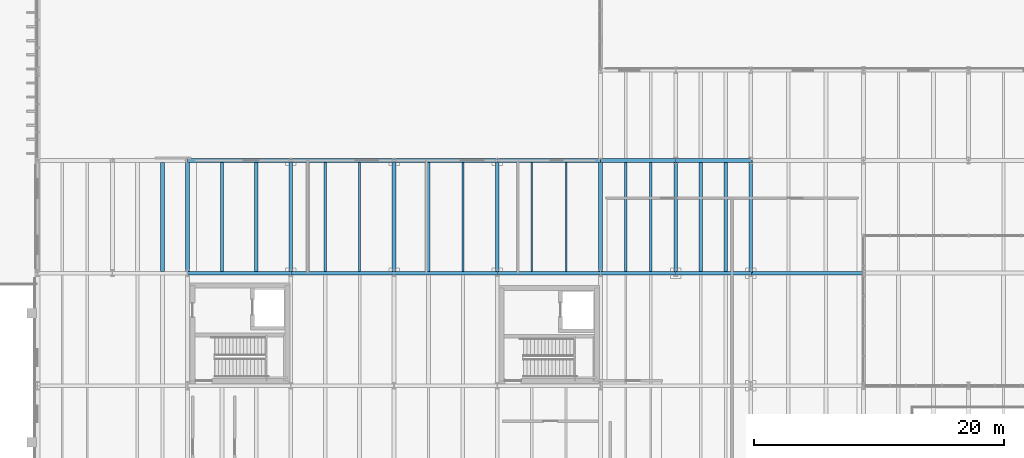
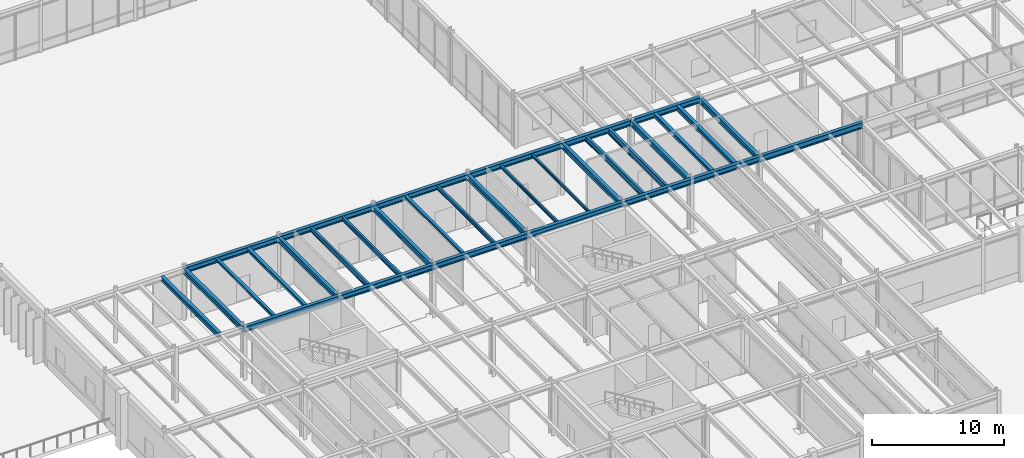
# One storey, part 21 of 64: 33 beams.
"""IFC4 building model written with IfcOpenShell, lengths in metres."""

import ifcopenshell
import ifcopenshell.guid

model = None  # the IFC model being written
_history = None  # IfcOwnerHistory: only IFC2X3 demands one
_inside = {}  # id of a spatial element -> (the spatial element, [elements in it])
_under = {}  # id of a project, library or spatial element -> (it, [spatial elements below it])
_declared = {}  # id of a project -> (the project, [libraries it declares])
_typed = {}  # id of a type object -> (the type object, [elements of that type])
_made_of = {}  # id of a material, layer set ... -> (it, [elements and type objects made of it])


def new_model(schema):
    """Start an empty IFC model of exactly this schema.

    Asked for "IFC4X3", IfcOpenShell would pick the latest addendum, in which some entities
    have other attributes; the version numbers below select the first issue.
    IFC2X3 requires an IfcOwnerHistory on every rooted entity: one is made here for all.
    """
    global model, _history
    if schema == "IFC4X3":
        model = ifcopenshell.file(schema_version=(4, 3, 0, 0))
    else:
        model = ifcopenshell.file(schema=schema)
    _inside.clear()
    _under.clear()
    _declared.clear()
    _typed.clear()
    _made_of.clear()
    _history = None
    if model.schema == "IFC2X3":
        org = make("IfcOrganization", Name="unknown")
        user = make(
            "IfcPersonAndOrganization",
            ThePerson=make("IfcPerson", FamilyName="unknown"),
            TheOrganization=org,
        )
        app = make(
            "IfcApplication",
            ApplicationDeveloper=org,
            Version="unknown",
            ApplicationFullName="unknown",
            ApplicationIdentifier="unknown",
        )
        _history = make(
            "IfcOwnerHistory",
            OwningUser=user,
            OwningApplication=app,
            ChangeAction="ADDED",
            CreationDate=0,
        )
    return model


def make(cls, **values):
    """One entity of the class cls with the attributes given. An attribute that is None is left unset."""
    return model.create_entity(
        cls, **{name: value for name, value in values.items() if value is not None}
    )


def rooted(cls, **values):
    """An entity with a GlobalId (a new one), such as an element, a storey or a relation."""
    return make(cls, GlobalId=ifcopenshell.guid.new(), OwnerHistory=_history, **values)


def si_unit(unit_type, name, prefix=None):
    """IfcSIUnit, for example si_unit("LENGTHUNIT", "METRE", prefix="MILLI")."""
    return make("IfcSIUnit", UnitType=unit_type, Prefix=prefix, Name=name)


def assignment(units):
    """IfcUnitAssignment: the units of a project."""
    return None if units is None else make("IfcUnitAssignment", Units=units)


def point(xyz):
    """IfcCartesianPoint."""
    return None if xyz is None else make("IfcCartesianPoint", Coordinates=xyz)


def direction(xyz):
    """IfcDirection."""
    return None if xyz is None else make("IfcDirection", DirectionRatios=xyz)


def frame(location, z_axis=None, x_axis=None):
    """IfcAxis2Placement3D, a coordinate frame: its origin and axes. An axis left out is left unset."""
    return make(
        "IfcAxis2Placement3D",
        Location=point(location),
        Axis=direction(z_axis),
        RefDirection=direction(x_axis),
    )


def frame_2d(location, x_axis=None):
    """IfcAxis2Placement2D, a coordinate frame in the plane: its origin and x axis."""
    return make(
        "IfcAxis2Placement2D", Location=point(location), RefDirection=direction(x_axis)
    )


def origin():
    """The frame at (0, 0, 0) with its axes left unset."""
    return frame((0.0, 0.0, 0.0))


def origin_2d():
    """The frame at (0, 0) in the plane with its x axis left unset."""
    return frame_2d((0.0, 0.0))


def place(relative_to, where):
    """IfcLocalPlacement: puts the frame where relative to a parent placement (None: the world)."""
    return make(
        "IfcLocalPlacement", PlacementRelTo=relative_to, RelativePlacement=where
    )


def context(
    kind, dimensions, precision=None, world=None, true_north=None, identifier=None
):
    """IfcGeometricRepresentationContext, for example the 3D "Model" context."""
    return make(
        "IfcGeometricRepresentationContext",
        ContextIdentifier=identifier,
        ContextType=kind,
        CoordinateSpaceDimension=dimensions,
        Precision=precision,
        WorldCoordinateSystem=world,
        TrueNorth=true_north,
    )


def subcontext(parent, identifier, kind, view, scale=None):
    """IfcGeometricRepresentationSubContext, for example "Body" below "Model"."""
    return make(
        "IfcGeometricRepresentationSubContext",
        ContextIdentifier=identifier,
        ContextType=kind,
        ParentContext=parent,
        TargetScale=scale,
        TargetView=view,
    )


def project(units=None, contexts=None):
    """IfcProject with its units and contexts."""
    return rooted(
        "IfcProject",
        Name="project",
        RepresentationContexts=contexts,
        UnitsInContext=assignment(units),
    )


def spatial(cls, under=None, at=None, **own):
    """A site, building, storey or space (cls), placed at a placement, below another one or the project."""
    s = rooted(cls, ObjectPlacement=at, **own)
    if under is not None:
        _under.setdefault(under.id(), (under, []))[1].append(s)
    return s


def profile(cls, at=None, kind="AREA", **sizes):
    """A parametric profile (cls). Its sizes go by their IFC names, for example OverallWidth=200.0."""
    return make(cls, ProfileType=kind, Position=at, **sizes)


def i_section(**sizes):
    """IfcIShapeProfileDef."""
    return profile("IfcIShapeProfileDef", **sizes)


def extrude(swept, where, along, depth):
    """IfcExtrudedAreaSolid: the profile swept, set in the frame where, extruded along a direction by depth."""
    return make(
        "IfcExtrudedAreaSolid",
        SweptArea=swept,
        Position=where,
        ExtrudedDirection=direction(along),
        Depth=depth,
    )


def shape(context_of_items, identifier, shape_type, items):
    """IfcShapeRepresentation: the items that make up one representation, for example the "Body"."""
    return make(
        "IfcShapeRepresentation",
        ContextOfItems=context_of_items,
        RepresentationIdentifier=identifier,
        RepresentationType=shape_type,
        Items=items,
    )


def material(Name=None, Category=None):
    """IfcMaterial."""
    return make("IfcMaterial", Name=Name, Category=Category)


def material_profile(
    of_material, cross_section, Name=None, Category=None, Priority=None
):
    """IfcMaterialProfile: a cross section and its material."""
    return make(
        "IfcMaterialProfile",
        Name=Name,
        Material=of_material,
        Profile=cross_section,
        Priority=Priority,
        Category=Category,
    )


def profile_set(profiles, Name=None, composite=None):
    """IfcMaterialProfileSet."""
    return make(
        "IfcMaterialProfileSet",
        Name=Name,
        MaterialProfiles=profiles,
        CompositeProfile=composite,
    )


def made_of(thing, what):
    """Note that an element or type object is made of a material, layer set ...; save() writes the relation."""
    if what is not None:
        _made_of.setdefault(what.id(), (what, []))[1].append(thing)
    return thing


def type_object(cls, material=None, **own):
    """A type object (cls), such as IfcWallType, which elements share."""
    return made_of(rooted(cls, **own), material)


def element(
    cls,
    number,
    at=None,
    inside=None,
    cuts=None,
    type_object=None,
    material=None,
    context=None,
    identifier="Body",
    shape_type=None,
    held_by="IfcProductDefinitionShape",
    body=None,
    shapes=None,
    **own,
):
    """One element of the class cls, such as IfcWall. Its Tag is "e" and its number.

    at: its placement. inside: the storey or other place that contains it. cuts: it is an
    opening in that element (IfcRelVoidsElement). A single representation is given by context,
    identifier, shape_type and body (its items); several are given by shapes. held_by: the class
    of the entity that holds the representations. save() writes the other relations.
    """
    e = rooted(cls, Tag="e%d" % number, ObjectPlacement=at, **own)
    if body is not None:
        shapes = [shape(context, identifier, shape_type, body)]
    if shapes is not None:
        e.Representation = make(held_by, Representations=shapes)
    if inside is not None:
        _inside.setdefault(inside.id(), (inside, []))[1].append(e)
    if cuts is not None:
        rooted(
            "IfcRelVoidsElement", RelatingBuildingElement=cuts, RelatedOpeningElement=e
        )
    if type_object is not None:
        _typed.setdefault(type_object.id(), (type_object, []))[1].append(e)
    return made_of(e, material)


def aggregate(whole, parts):
    """IfcRelAggregates: a whole, such as a stair, and the parts it consists of."""
    return rooted("IfcRelAggregates", RelatingObject=whole, RelatedObjects=parts)


def save(model, path):
    """Write the relations noted so far, then the file.

    IfcRelAggregates (storeys below a building ...), IfcRelContainedInSpatialStructure (elements
    in a storey), IfcRelDefinesByType, IfcRelAssociatesMaterial and IfcRelDeclares: one each for
    every whole, place, type object, material and project.
    """
    for whole, parts in _under.values():
        aggregate(whole, parts)
    for where, things in _inside.values():
        rooted(
            "IfcRelContainedInSpatialStructure",
            RelatedElements=things,
            RelatingStructure=where,
        )
    for kind, things in _typed.values():
        rooted("IfcRelDefinesByType", RelatedObjects=things, RelatingType=kind)
    for what, things in _made_of.values():
        rooted("IfcRelAssociatesMaterial", RelatedObjects=things, RelatingMaterial=what)
    for by, libraries in _declared.values():
        rooted("IfcRelDeclares", RelatingContext=by, RelatedDefinitions=libraries)
    model.write(path)


model = new_model("IFC4")

# Units and contexts
model_context = context("Model", 3, precision=1e-05, world=origin(), true_north=direction((0.0, 1.0)))
body_context = subcontext(model_context, "Body", "Model", "MODEL_VIEW")
ifc_project = project(units=[si_unit("LENGTHUNIT", "METRE"), si_unit("AREAUNIT", "SQUARE_METRE"), si_unit("VOLUMEUNIT", "CUBIC_METRE"), si_unit("PLANEANGLEUNIT", "RADIAN"), si_unit("MASSUNIT", "GRAM", prefix="KILO")], contexts=[model_context])

# Site, building, storey
site_placement = place(None, origin())
site = spatial("IfcSite", under=ifc_project, at=site_placement, CompositionType="ELEMENT")
building_placement = place(site_placement, origin())
building = spatial("IfcBuilding", under=site, at=building_placement, Name="Montealbar Specialist Clinic", CompositionType="ELEMENT")
storey_placement = place(building_placement, origin())
storey = spatial("IfcBuildingStorey", under=building, at=storey_placement, Name="L00", CompositionType="ELEMENT", Elevation=0.0)

# Beams
ifc_material = material(Name="Steel S355", Category="steel")
ifc_material_profile_1 = material_profile(ifc_material, i_section(OverallWidth=0.300048828125, OverallDepth=0.5, WebThickness=0.014404296875, FlangeThickness=0.028076171875, FilletRadius=0.027099609375, at=origin_2d()), Name="HEB 500", Category="steel")
ifc_profile_set_1 = profile_set([ifc_material_profile_1], Name="Steel S355")
beam_type_1 = type_object("IfcBeamType", Name="BM-GIRD-HEB500", PredefinedType="BEAM", material=ifc_profile_set_1)
for number, where, z_axis, x_axis, name in (
    (1, (66.0, 36.0, 4.56005859375), (1.0, 0.0, 0.0), (0.0, 1.0, 0.0), "Beam GX-L00-660-742-360"),
    (2, (74.25, 36.0, 4.56005859375), (1.0, 0.0, 0.0), (0.0, 1.0, 0.0), "Beam GX-L00-742-825-360"),
    (3, (82.5, 36.0, 4.56005859375), (1.0, 0.0, 0.0), (0.0, 1.0, 0.0), "Beam GX-L00-825-908-360"),
    (4, (90.75, 36.0, 4.56005859375), (1.0, 0.0, 0.0), (0.0, 1.0, 0.0), "Beam GX-L00-908-990-360"),
    (5, (66.0, 45.0, 4.56005859375), (1.0, 0.0, 0.0), (0.0, 1.0, 0.0), "Beam GX-L00-660-742-450"),
    (6, (74.25, 45.0, 4.56005859375), (1.0, 0.0, 0.0), (0.0, 1.0, 0.0), "Beam GX-L00-742-825-450"),
    (7, (82.5, 45.0, 4.56005859375), (1.0, 0.0, 0.0), (0.0, 1.0, 0.0), "Beam GX-L00-825-908-450"),
    (8, (90.75, 45.0, 4.56005859375), (1.0, 0.0, 0.0), (0.0, 1.0, 0.0), "Beam GX-L00-908-990-450"),
):
    element("IfcBeam", number, at=place(storey_placement, frame(where, z_axis=z_axis, x_axis=x_axis)), inside=storey, type_object=beam_type_1, Name=name, PredefinedType="BEAM", context=body_context, shape_type="SweptSolid", body=[
        extrude(i_section(OverallWidth=0.300048828125, OverallDepth=0.5, WebThickness=0.014404296875, FlangeThickness=0.028076171875, FilletRadius=0.027099609375, at=origin_2d()), origin(), (0.0, 0.0, 1.0), 8.25),
    ])
for number, where, z_axis, x_axis, name in (
    (9, (66.0, 36.0, 4.56005859375), (0.0, 1.0, 0.0), (-1.0, 0.0, 0.0), "Beam GY-L00-660-360-450"),
    (10, (74.25, 36.0, 4.56005859375), (0.0, 1.0, 0.0), (-1.0, 0.0, 0.0), "Beam GY-L00-742-360-450"),
    (11, (82.5, 36.0, 4.56005859375), (0.0, 1.0, 0.0), (-1.0, 0.0, 0.0), "Beam GY-L00-825-360-450"),
    (12, (90.75, 36.0, 4.56005859375), (0.0, 1.0, 0.0), (-1.0, 0.0, 0.0), "Beam GY-L00-908-360-450"),
):
    element("IfcBeam", number, at=place(storey_placement, frame(where, z_axis=z_axis, x_axis=x_axis)), inside=storey, type_object=beam_type_1, Name=name, PredefinedType="BEAM", context=body_context, shape_type="SweptSolid", body=[
        extrude(i_section(OverallWidth=0.300048828125, OverallDepth=0.5, WebThickness=0.014404296875, FlangeThickness=0.028076171875, FilletRadius=0.027099609375, at=origin_2d()), origin(), (0.0, 0.0, 1.0), 9.0),
    ])
ifc_material_profile_2 = material_profile(ifc_material, i_section(OverallWidth=0.300048828125, OverallDepth=0.5, WebThickness=0.014404296875, FlangeThickness=0.028076171875, FilletRadius=0.027099609375, at=origin_2d()), Name="HEB 500", Category="steel")
ifc_profile_set_2 = profile_set([ifc_material_profile_2], Name="Steel S355")
beam_type_2 = type_object("IfcBeamType", Name="BM-GIRD-HEB500-EXT", PredefinedType="BEAM", material=ifc_profile_set_2)
for number, where, z_axis, x_axis, name in (
    (13, (99.0, 36.0, 4.56005859375), (1.0, 0.0, 0.0), (0.0, 1.0, 0.0), "Beam GX-L00-990-1050-360"),
    (14, (105.0, 36.0, 4.56005859375), (1.0, 0.0, 0.0), (0.0, 1.0, 0.0), "Beam GX-L00-1050-1110-360"),
    (15, (99.0, 45.0, 4.56005859375), (1.0, 0.0, 0.0), (0.0, 1.0, 0.0), "Beam GX-L00-990-1050-450"),
    (16, (105.0, 45.0, 4.56005859375), (1.0, 0.0, 0.0), (0.0, 1.0, 0.0), "Beam GX-L00-1050-1110-450"),
):
    element("IfcBeam", number, at=place(storey_placement, frame(where, z_axis=z_axis, x_axis=x_axis)), inside=storey, type_object=beam_type_2, Name=name, PredefinedType="BEAM", context=body_context, shape_type="SweptSolid", body=[
        extrude(i_section(OverallWidth=0.300048828125, OverallDepth=0.5, WebThickness=0.014404296875, FlangeThickness=0.028076171875, FilletRadius=0.027099609375, at=origin_2d()), origin(), (0.0, 0.0, 1.0), 6.0),
    ])
for number, where, z_axis, x_axis, name in (
    (17, (99.0, 36.0, 4.56005859375), (0.0, 1.0, 0.0), (-1.0, 0.0, 0.0), "Beam GY-L00-990-360-450"),
    (18, (105.0, 36.0, 4.56005859375), (0.0, 1.0, 0.0), (-1.0, 0.0, 0.0), "Beam GY-L00-1050-360-450"),
    (19, (111.0, 36.0, 4.56005859375), (0.0, 1.0, 0.0), (-1.0, 0.0, 0.0), "Beam GY-L00-1110-360-450"),
):
    element("IfcBeam", number, at=place(storey_placement, frame(where, z_axis=z_axis, x_axis=x_axis)), inside=storey, type_object=beam_type_2, Name=name, PredefinedType="BEAM", context=body_context, shape_type="SweptSolid", body=[
        extrude(i_section(OverallWidth=0.300048828125, OverallDepth=0.5, WebThickness=0.014404296875, FlangeThickness=0.028076171875, FilletRadius=0.027099609375, at=origin_2d()), origin(), (0.0, 0.0, 1.0), 9.0),
    ])
ifc_material_profile_3 = material_profile(ifc_material, i_section(OverallWidth=0.300048828125, OverallDepth=0.550048828125, WebThickness=0.014892578125, FlangeThickness=0.029052734375, FilletRadius=0.027099609375, at=origin_2d()), Name="HEB 550", Category="steel")
ifc_profile_set_3 = profile_set([ifc_material_profile_3], Name="Steel S355")
beam_type_3 = type_object("IfcBeamType", Name="BM-GIRD-HEB550", PredefinedType="BEAM", material=ifc_profile_set_3)
beam_1_placement = place(storey_placement, frame((111.0, 36.0, 4.534912109375), z_axis=(1.0, 0.0, 0.0), x_axis=(0.0, 1.0, 0.0)))
element("IfcBeam", 20, at=beam_1_placement, inside=storey, type_object=beam_type_3, Name="Beam GX-L00-1110-1200-360", PredefinedType="BEAM", context=body_context, shape_type="SweptSolid", body=[
    extrude(i_section(OverallWidth=0.300048828125, OverallDepth=0.550048828125, WebThickness=0.014892578125, FlangeThickness=0.029052734375, FilletRadius=0.027099609375, at=origin_2d()), origin(), (0.0, 0.0, 1.0), 9.0),
])
ifc_material_profile_4 = material_profile(ifc_material, i_section(OverallWidth=0.300048828125, OverallDepth=0.35009765625, WebThickness=0.010009765625, FlangeThickness=0.017578125, FilletRadius=0.027099609375, at=origin_2d()), Name="HEA 360", Category="steel")
ifc_profile_set_4 = profile_set([ifc_material_profile_4], Name="Steel S355")
beam_type_4 = type_object("IfcBeamType", Name="BM-JST-HEA360", PredefinedType="JOIST", material=ifc_profile_set_4)
beam_2_placement = place(storey_placement, frame((107.0, 36.14990234375, 4.635009765625), z_axis=(0.0, 1.0, 0.0), x_axis=(-1.0, 0.0, 0.0)))
element("IfcBeam", 21, at=beam_2_placement, inside=storey, type_object=beam_type_4, Name="Beam JST-L00-1070-362-448", PredefinedType="JOIST", context=body_context, shape_type="SweptSolid", body=[
    extrude(i_section(OverallWidth=0.300048828125, OverallDepth=0.35009765625, WebThickness=0.010009765625, FlangeThickness=0.017578125, FilletRadius=0.027099609375, at=origin_2d()), origin(), (0.0, 0.0, 1.0), 8.7001953125),
])
ifc_material_profile_5 = material_profile(ifc_material, i_section(OverallWidth=0.300048828125, OverallDepth=0.43994140625, WebThickness=0.011474609375, FlangeThickness=0.02099609375, FilletRadius=0.027099609375, at=origin_2d()), Name="HEA 450", Category="steel")
ifc_profile_set_5 = profile_set([ifc_material_profile_5], Name="Steel S355")
beam_type_5 = type_object("IfcBeamType", Name="BM-JST-HEA450", PredefinedType="JOIST", material=ifc_profile_set_5)
for number, where, z_axis, x_axis, name in (
    (22, (64.0, 36.14990234375, 4.590087890625), (0.0, 1.0, 0.0), (-1.0, 0.0, 0.0), "Beam JST-L00-640-362-448"),
    (23, (109.0, 36.14990234375, 4.590087890625), (0.0, 1.0, 0.0), (-1.0, 0.0, 0.0), "Beam JST-L00-1090-362-448"),
):
    element("IfcBeam", number, at=place(storey_placement, frame(where, z_axis=z_axis, x_axis=x_axis)), inside=storey, type_object=beam_type_5, Name=name, PredefinedType="JOIST", context=body_context, shape_type="SweptSolid", body=[
        extrude(i_section(OverallWidth=0.300048828125, OverallDepth=0.43994140625, WebThickness=0.011474609375, FlangeThickness=0.02099609375, FilletRadius=0.027099609375, at=origin_2d()), origin(), (0.0, 0.0, 1.0), 8.7001953125),
    ])
ifc_material_profile_6 = material_profile(ifc_material, i_section(OverallWidth=0.239990234375, OverallDepth=0.239990234375, WebThickness=0.010009765625, FlangeThickness=0.01708984375, FilletRadius=0.02099609375, at=origin_2d()), Name="HEB 240", Category="steel")
ifc_profile_set_6 = profile_set([ifc_material_profile_6], Name="Steel S355")
beam_type_6 = type_object("IfcBeamType", Name="BM-JST-HEB240", PredefinedType="JOIST", material=ifc_profile_set_6)
beam_3_placement = place(storey_placement, frame((68.75, 36.14990234375, 4.68994140625), z_axis=(0.0, 1.0, 0.0), x_axis=(-1.0, 0.0, 0.0)))
element("IfcBeam", 24, at=beam_3_placement, inside=storey, type_object=beam_type_6, Name="Beam JST-L00-688-362-448", PredefinedType="JOIST", context=body_context, shape_type="SweptSolid", body=[
    extrude(i_section(OverallWidth=0.239990234375, OverallDepth=0.239990234375, WebThickness=0.010009765625, FlangeThickness=0.01708984375, FilletRadius=0.02099609375, at=origin_2d()), origin(), (0.0, 0.0, 1.0), 8.7001953125),
])
ifc_material_profile_7 = material_profile(ifc_material, i_section(OverallWidth=0.280029296875, OverallDepth=0.280029296875, WebThickness=0.010498046875, FlangeThickness=0.01806640625, FilletRadius=0.02392578125, at=origin_2d()), Name="HEB 280", Category="steel")
ifc_profile_set_7 = profile_set([ifc_material_profile_7], Name="Steel S355")
beam_type_7 = type_object("IfcBeamType", Name="BM-JST-HEB280", PredefinedType="JOIST", material=ifc_profile_set_7)
beam_4_placement = place(storey_placement, frame((71.5, 36.14990234375, 4.669921875), z_axis=(0.0, 1.0, 0.0), x_axis=(-1.0, 0.0, 0.0)))
element("IfcBeam", 25, at=beam_4_placement, inside=storey, type_object=beam_type_7, Name="Beam JST-L00-715-362-448", PredefinedType="JOIST", context=body_context, shape_type="SweptSolid", body=[
    extrude(i_section(OverallWidth=0.280029296875, OverallDepth=0.280029296875, WebThickness=0.010498046875, FlangeThickness=0.01806640625, FilletRadius=0.02392578125, at=origin_2d()), origin(), (0.0, 0.0, 1.0), 8.7001953125),
])
ifc_material_profile_8 = material_profile(ifc_material, i_section(OverallWidth=0.135009765625, OverallDepth=0.27001953125, WebThickness=0.006591796875, FlangeThickness=0.01025390625, FilletRadius=0.014892578125, at=origin_2d()), Name="IPE 270", Category="steel")
ifc_profile_set_8 = profile_set([ifc_material_profile_8], Name="Steel S355")
beam_type_8 = type_object("IfcBeamType", Name="BM-JST-IPE270", PredefinedType="JOIST", material=ifc_profile_set_8)
beam_5_placement = place(storey_placement, frame((96.25, 36.14990234375, 4.675048828125), z_axis=(0.0, 1.0, 0.0), x_axis=(-1.0, 0.0, 0.0)))
element("IfcBeam", 26, at=beam_5_placement, inside=storey, type_object=beam_type_8, Name="Beam JST-L00-962-362-448", PredefinedType="JOIST", context=body_context, shape_type="SweptSolid", body=[
    extrude(i_section(OverallWidth=0.135009765625, OverallDepth=0.27001953125, WebThickness=0.006591796875, FlangeThickness=0.01025390625, FilletRadius=0.014892578125, at=origin_2d()), origin(), (0.0, 0.0, 1.0), 8.7001953125),
])
ifc_material_profile_9 = material_profile(ifc_material, i_section(OverallWidth=0.14990234375, OverallDepth=0.300048828125, WebThickness=0.007080078125, FlangeThickness=0.0107421875, FilletRadius=0.014892578125, at=origin_2d()), Name="IPE 300", Category="steel")
ifc_profile_set_9 = profile_set([ifc_material_profile_9], Name="Steel S355")
beam_type_9 = type_object("IfcBeamType", Name="BM-JST-IPE300", PredefinedType="JOIST", material=ifc_profile_set_9)
beam_6_placement = place(storey_placement, frame((93.5, 36.14990234375, 4.659912109375), z_axis=(0.0, 1.0, 0.0), x_axis=(-1.0, 0.0, 0.0)))
element("IfcBeam", 27, at=beam_6_placement, inside=storey, type_object=beam_type_9, Name="Beam JST-L00-935-362-448", PredefinedType="JOIST", context=body_context, shape_type="SweptSolid", body=[
    extrude(i_section(OverallWidth=0.14990234375, OverallDepth=0.300048828125, WebThickness=0.007080078125, FlangeThickness=0.0107421875, FilletRadius=0.014892578125, at=origin_2d()), origin(), (0.0, 0.0, 1.0), 8.7001953125),
])
ifc_material_profile_10 = material_profile(ifc_material, i_section(OverallWidth=0.169921875, OverallDepth=0.360107421875, WebThickness=0.008056640625, FlangeThickness=0.0126953125, FilletRadius=0.01806640625, at=origin_2d()), Name="IPE 360", Category="steel")
ifc_profile_set_10 = profile_set([ifc_material_profile_10], Name="Steel S355")
beam_type_10 = type_object("IfcBeamType", Name="BM-JST-IPE360", PredefinedType="JOIST", material=ifc_profile_set_10)
beam_7_placement = place(storey_placement, frame((88.0, 36.14990234375, 4.6298828125), z_axis=(0.0, 1.0, 0.0), x_axis=(-1.0, 0.0, 0.0)))
element("IfcBeam", 28, at=beam_7_placement, inside=storey, type_object=beam_type_10, Name="Beam JST-L00-880-362-448", PredefinedType="JOIST", context=body_context, shape_type="SweptSolid", body=[
    extrude(i_section(OverallWidth=0.169921875, OverallDepth=0.360107421875, WebThickness=0.008056640625, FlangeThickness=0.0126953125, FilletRadius=0.01806640625, at=origin_2d()), origin(), (0.0, 0.0, 1.0), 8.7001953125),
])
ifc_material_profile_11 = material_profile(ifc_material, i_section(OverallWidth=0.199951171875, OverallDepth=0.5, WebThickness=0.01025390625, FlangeThickness=0.01611328125, FilletRadius=0.02099609375, at=origin_2d()), Name="IPE 500", Category="steel")
ifc_profile_set_11 = profile_set([ifc_material_profile_11], Name="Steel S355")
beam_type_11 = type_object("IfcBeamType", Name="BM-JST-IPE500", PredefinedType="JOIST", material=ifc_profile_set_11)
beam_8_placement = place(storey_placement, frame((101.0, 36.14990234375, 4.56005859375), z_axis=(0.0, 1.0, 0.0), x_axis=(-1.0, 0.0, 0.0)))
element("IfcBeam", 29, at=beam_8_placement, inside=storey, type_object=beam_type_11, Name="Beam JST-L00-1010-362-448", PredefinedType="JOIST", context=body_context, shape_type="SweptSolid", body=[
    extrude(i_section(OverallWidth=0.199951171875, OverallDepth=0.5, WebThickness=0.01025390625, FlangeThickness=0.01611328125, FilletRadius=0.02099609375, at=origin_2d()), origin(), (0.0, 0.0, 1.0), 8.7001953125),
])
ifc_material_profile_12 = material_profile(ifc_material, i_section(OverallWidth=0.2099609375, OverallDepth=0.550048828125, WebThickness=0.010986328125, FlangeThickness=0.01708984375, FilletRadius=0.02392578125, at=origin_2d()), Name="IPE 550", Category="steel")
ifc_profile_set_12 = profile_set([ifc_material_profile_12], Name="Steel S355")
beam_type_12 = type_object("IfcBeamType", Name="BM-JST-IPE550", PredefinedType="JOIST", material=ifc_profile_set_12)
beam_9_placement = place(storey_placement, frame((103.0, 36.14990234375, 4.534912109375), z_axis=(0.0, 1.0, 0.0), x_axis=(-1.0, 0.0, 0.0)))
element("IfcBeam", 30, at=beam_9_placement, inside=storey, type_object=beam_type_12, Name="Beam JST-L00-1030-362-448", PredefinedType="JOIST", context=body_context, shape_type="SweptSolid", body=[
    extrude(i_section(OverallWidth=0.2099609375, OverallDepth=0.550048828125, WebThickness=0.010986328125, FlangeThickness=0.01708984375, FilletRadius=0.02392578125, at=origin_2d()), origin(), (0.0, 0.0, 1.0), 8.7001953125),
])
ifc_material_profile_13 = material_profile(ifc_material, i_section(OverallWidth=0.179931640625, OverallDepth=0.39990234375, WebThickness=0.008544921875, FlangeThickness=0.013427734375, FilletRadius=0.02099609375, at=origin_2d()), Name="IPE 400", Category="steel")
ifc_profile_set_13 = profile_set([ifc_material_profile_13], Name="Steel S355")
beam_type_13 = type_object("IfcBeamType", Name="BM-SEC-IPE400", PredefinedType="BEAM", material=ifc_profile_set_13)
beam_10_placement = place(storey_placement, frame((79.75, 36.14990234375, 4.610107421875), z_axis=(0.0, 1.0, 0.0), x_axis=(-1.0, 0.0, 0.0)))
element("IfcBeam", 31, at=beam_10_placement, inside=storey, type_object=beam_type_13, Name="Beam JST-L00-798-362-448", PredefinedType="BEAM", context=body_context, shape_type="SweptSolid", body=[
    extrude(i_section(OverallWidth=0.179931640625, OverallDepth=0.39990234375, WebThickness=0.008544921875, FlangeThickness=0.013427734375, FilletRadius=0.02099609375, at=origin_2d()), origin(), (0.0, 0.0, 1.0), 8.7001953125),
])
ifc_material_profile_14 = material_profile(ifc_material, i_section(OverallWidth=0.18994140625, OverallDepth=0.449951171875, WebThickness=0.009521484375, FlangeThickness=0.0146484375, FilletRadius=0.02099609375, at=origin_2d()), Name="IPE 450", Category="steel")
ifc_profile_set_14 = profile_set([ifc_material_profile_14], Name="Steel S355")
beam_type_14 = type_object("IfcBeamType", Name="BM-SEC-IPE450", PredefinedType="BEAM", material=ifc_profile_set_14)
beam_11_placement = place(storey_placement, frame((77.0, 36.14990234375, 4.5849609375), z_axis=(0.0, 1.0, 0.0), x_axis=(-1.0, 0.0, 0.0)))
element("IfcBeam", 32, at=beam_11_placement, inside=storey, type_object=beam_type_14, Name="Beam JST-L00-770-362-448", PredefinedType="BEAM", context=body_context, shape_type="SweptSolid", body=[
    extrude(i_section(OverallWidth=0.18994140625, OverallDepth=0.449951171875, WebThickness=0.009521484375, FlangeThickness=0.0146484375, FilletRadius=0.02099609375, at=origin_2d()), origin(), (0.0, 0.0, 1.0), 8.7001953125),
])
ifc_material_profile_15 = material_profile(ifc_material, i_section(OverallWidth=0.239990234375, OverallDepth=0.22998046875, WebThickness=0.007568359375, FlangeThickness=0.011962890625, FilletRadius=0.02099609375, at=origin_2d()), Name="HEA 240", Category="steel")
ifc_profile_set_15 = profile_set([ifc_material_profile_15], Name="Steel S355")
beam_type_15 = type_object("IfcBeamType", Name="BM-SPAND-HEA240", PredefinedType="SPANDREL", material=ifc_profile_set_15)
beam_12_placement = place(storey_placement, frame((85.25, 36.14990234375, 4.695068359375), z_axis=(0.0, 1.0, 0.0), x_axis=(-1.0, 0.0, 0.0)))
element("IfcBeam", 33, at=beam_12_placement, inside=storey, type_object=beam_type_15, Name="Beam JST-L00-852-362-448", PredefinedType="SPANDREL", context=body_context, shape_type="SweptSolid", body=[
    extrude(i_section(OverallWidth=0.239990234375, OverallDepth=0.22998046875, WebThickness=0.007568359375, FlangeThickness=0.011962890625, FilletRadius=0.02099609375, at=origin_2d()), origin(), (0.0, 0.0, 1.0), 8.7001953125),
])

save(model, "model.ifc")
